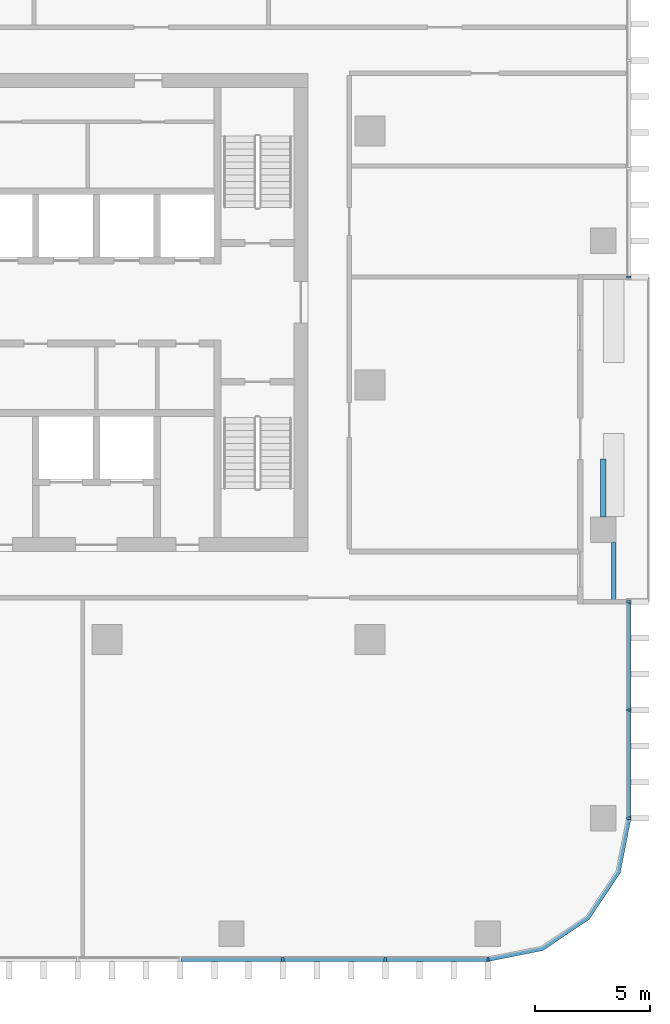
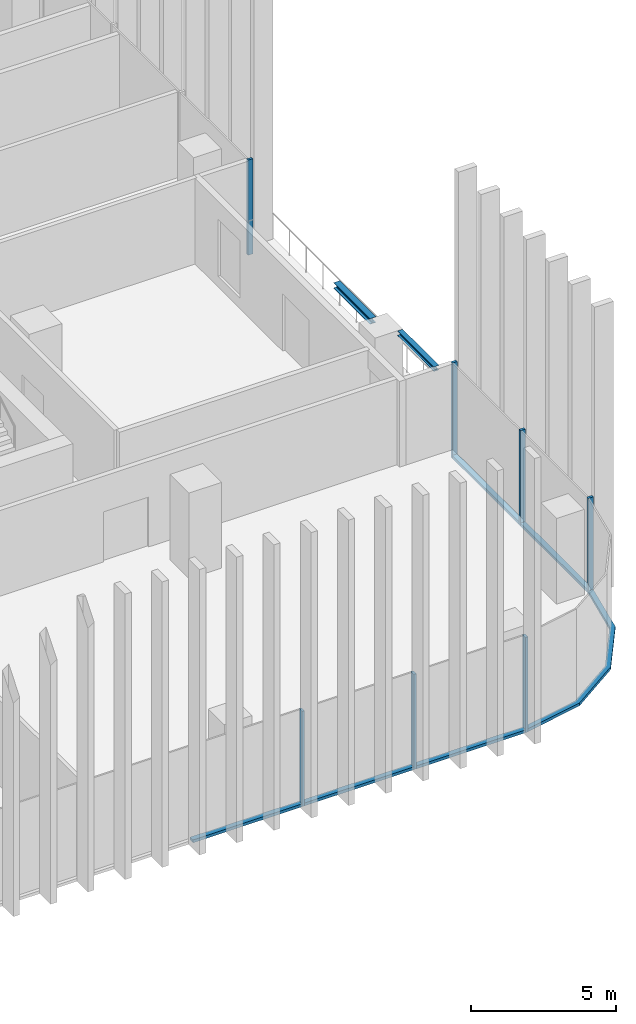
# One storey, part 3 of 15: 13 members, 2 beams, 4 elements without a shape of their own.
"""IFC4 building model written with IfcOpenShell, lengths in metres."""

from ifc_helpers import new_model, si_unit, direction, frame, origin, origin_2d, place, context, subcontext, project, spatial, polyline, rectangle, i_section, outline, extrude, material, material_profile, profile_set, type_object, element, aggregate, save


model = new_model("IFC4")

# Units and contexts
model_context = context("Model", 3, precision=1e-05, world=origin(), true_north=direction((0.0, 1.0)))
body_context = subcontext(model_context, "Body", "Model", "MODEL_VIEW")
ifc_project = project(units=[si_unit("LENGTHUNIT", "METRE"), si_unit("AREAUNIT", "SQUARE_METRE"), si_unit("VOLUMEUNIT", "CUBIC_METRE"), si_unit("PLANEANGLEUNIT", "RADIAN"), si_unit("MASSUNIT", "GRAM", prefix="KILO")], contexts=[model_context])

# Site, building, storey
site_placement = place(None, origin())
site = spatial("IfcSite", under=ifc_project, at=site_placement, CompositionType="ELEMENT")
building_placement = place(site_placement, origin())
building = spatial("IfcBuilding", under=site, at=building_placement, Name="Mopane Tessera Tower", CompositionType="ELEMENT")
storey_placement = place(building_placement, frame((0.0, 0.0, 211.0)))
storey = spatial("IfcBuildingStorey", under=building, at=storey_placement, Name="L44", CompositionType="ELEMENT", Elevation=211.0)

# Curtain wall, members
ifc_material_1 = material(Name="Aluminium frame", Category="aluminium")
curtain_wall_type = type_object("IfcCurtainWallType", Name="Unitised curtain wall", PredefinedType="NOTDEFINED", material=ifc_material_1)
curtain_wall_1_placement = place(storey_placement, origin())
curtain_wall_1 = element("IfcCurtainWall", 1, at=curtain_wall_1_placement, inside=storey, type_object=curtain_wall_type, Name="e:cw:L44:S:4", PredefinedType="NOTDEFINED")
ifc_material_2 = material(Name="Aluminium frame", Category="aluminium")
ifc_material_profile_1 = material_profile(ifc_material_2, rectangle(XDim=0.10009765625, YDim=0.199951171875, at=origin_2d()))
ifc_profile_set_1 = profile_set([ifc_material_profile_1], Name="Aluminium frame")
member_type_1 = type_object("IfcMemberType", Name="Aluminium mullion 100 x 200", PredefinedType="MULLION", material=ifc_profile_set_1)
member_1_placement = place(storey_placement, frame((13.320068359375, -24.85009765625, -0.39990234375), z_axis=(0.0, 0.0, 1.0), x_axis=(1.0, 0.0, 0.0)))
member_1 = element("IfcMember", 2, at=member_1_placement, type_object=member_type_1, Name="e:cw:L44:S:4:mu8", PredefinedType="MULLION", context=body_context, shape_type="SweptSolid", body=[
    extrude(rectangle(XDim=0.10009765625, YDim=0.199951171875, at=origin_2d()), origin(), (0.0, 0.0, 1.0), 4.0),
])
member_2_placement = place(storey_placement, frame((17.760009765625, -24.85009765625, -0.39990234375), z_axis=(0.0, 0.0, 1.0), x_axis=(1.0, 0.0, 0.0)))
member_2 = element("IfcMember", 3, at=member_2_placement, type_object=member_type_1, Name="e:cw:L44:S:4:mu9", PredefinedType="MULLION", context=body_context, shape_type="SweptSolid", body=[
    extrude(rectangle(XDim=0.10009765625, YDim=0.199951171875, at=origin_2d()), origin(), (0.0, 0.0, 1.0), 4.0),
])
member_3_placement = place(storey_placement, frame((22.199951171875, -24.85009765625, -0.39990234375), z_axis=(0.0, 0.0, 1.0), x_axis=(1.0, 0.0, 0.0)))
member_3 = element("IfcMember", 4, at=member_3_placement, type_object=member_type_1, Name="e:cw:L44:S:4:mu10", PredefinedType="MULLION", context=body_context, shape_type="SweptSolid", body=[
    extrude(rectangle(XDim=0.10009765625, YDim=0.199951171875, at=origin_2d()), origin(), (0.0, 0.0, 1.0), 4.0),
])

curtain_wall_2_placement = place(storey_placement, origin())
curtain_wall_2 = element("IfcCurtainWall", 5, at=curtain_wall_2_placement, inside=storey, type_object=curtain_wall_type, Name="e:cw:L44:E:0", PredefinedType="NOTDEFINED")
member_4_placement = place(storey_placement, frame((28.300048828125, -18.75, -0.39990234375), z_axis=(0.0, 0.0, 1.0), x_axis=(0.0, 1.0, 0.0)))
member_4 = element("IfcMember", 6, at=member_4_placement, type_object=member_type_1, Name="e:cw:L44:E:0:mu0", PredefinedType="MULLION", context=body_context, shape_type="SweptSolid", body=[
    extrude(rectangle(XDim=0.10009765625, YDim=0.199951171875, at=origin_2d()), origin(), (0.0, 0.0, 1.0), 4.0),
])
member_5_placement = place(storey_placement, frame((28.300048828125, -14.0625, -0.39990234375), z_axis=(0.0, 0.0, 1.0), x_axis=(0.0, 1.0, 0.0)))
member_5 = element("IfcMember", 7, at=member_5_placement, type_object=member_type_1, Name="e:cw:L44:E:0:mu1", PredefinedType="MULLION", context=body_context, shape_type="SweptSolid", body=[
    extrude(rectangle(XDim=0.10009765625, YDim=0.199951171875, at=origin_2d()), origin(), (0.0, 0.0, 1.0), 4.0),
])
member_6_placement = place(storey_placement, frame((28.300048828125, -9.375, -0.39990234375), z_axis=(0.0, 0.0, 1.0), x_axis=(0.0, 1.0, 0.0)))
member_6 = element("IfcMember", 8, at=member_6_placement, type_object=member_type_1, Name="e:cw:L44:E:0:mu2", PredefinedType="MULLION", context=body_context, shape_type="SweptSolid", body=[
    extrude(rectangle(XDim=0.10009765625, YDim=0.199951171875, at=origin_2d()), origin(), (0.0, 0.0, 1.0), 4.0),
])

# Curtain wall, member
curtain_wall_3_placement = place(storey_placement, origin())
curtain_wall_3 = element("IfcCurtainWall", 9, at=curtain_wall_3_placement, inside=storey, type_object=curtain_wall_type, Name="e:cw:L44:E:5", PredefinedType="NOTDEFINED")
member_7_placement = place(storey_placement, frame((28.300048828125, 4.6875, -0.39990234375), z_axis=(0.0, 0.0, 1.0), x_axis=(0.0, 1.0, 0.0)))
member_7 = element("IfcMember", 10, at=member_7_placement, type_object=member_type_1, Name="e:cw:L44:E:5:mu5", PredefinedType="MULLION", context=body_context, shape_type="SweptSolid", body=[
    extrude(rectangle(XDim=0.10009765625, YDim=0.199951171875, at=origin_2d()), origin(), (0.0, 0.0, 1.0), 4.0),
])
aggregate(curtain_wall_3, [member_7])

# Member
ifc_material_3 = material(Name="Aluminium frame", Category="aluminium")
ifc_material_profile_2 = material_profile(ifc_material_3, rectangle(XDim=0.199951171875, YDim=0.1201171875, at=origin_2d()))
ifc_profile_set_2 = profile_set([ifc_material_profile_2], Name="Aluminium frame")
member_type_2 = type_object("IfcMemberType", Name="Aluminium transom 200 x 120", PredefinedType="USERDEFINED", material=ifc_profile_set_2)
member_8_placement = place(storey_placement, frame((8.929931640625, -24.85009765625, -0.340087890625), z_axis=(1.0, 0.0, 0.0), x_axis=(0.0, 1.0, 0.0)))
member_8 = element("IfcMember", 11, at=member_8_placement, type_object=member_type_2, Name="e:cw:L44:S:4:tr7", ObjectType="TRANSOM", PredefinedType="USERDEFINED", context=body_context, shape_type="SweptSolid", body=[
    extrude(rectangle(XDim=0.199951171875, YDim=0.1201171875, at=origin_2d()), origin(), (0.0, 0.0, 1.0), 4.340087890625),
])

member_9_placement = place(storey_placement, frame((13.3701171875, -24.85009765625, -0.340087890625), z_axis=(1.0, 0.0, 0.0), x_axis=(0.0, 1.0, 0.0)))
member_9 = element("IfcMember", 12, at=member_9_placement, type_object=member_type_2, Name="e:cw:L44:S:4:tr8", ObjectType="TRANSOM", PredefinedType="USERDEFINED", context=body_context, shape_type="SweptSolid", body=[
    extrude(rectangle(XDim=0.199951171875, YDim=0.1201171875, at=origin_2d()), origin(), (0.0, 0.0, 1.0), 4.33984375),
])

member_10_placement = place(storey_placement, frame((17.81005859375, -24.85009765625, -0.340087890625), z_axis=(1.0, 0.0, 0.0), x_axis=(0.0, 1.0, 0.0)))
member_10 = element("IfcMember", 13, at=member_10_placement, type_object=member_type_2, Name="e:cw:L44:S:4:tr9", ObjectType="TRANSOM", PredefinedType="USERDEFINED", context=body_context, shape_type="SweptSolid", body=[
    extrude(rectangle(XDim=0.199951171875, YDim=0.1201171875, at=origin_2d()), origin(), (0.0, 0.0, 1.0), 4.33984375),
])

aggregate(curtain_wall_1, [member_1, member_2, member_3, member_8, member_9, member_10])

# Curtain wall, member
curtain_wall_4_placement = place(storey_placement, origin())
curtain_wall_4 = element("IfcCurtainWall", 14, at=curtain_wall_4_placement, inside=storey, type_object=curtain_wall_type, Name="e:cw:L44:CS", PredefinedType="NOTDEFINED")
member_11_placement = place(storey_placement, frame((0.0, 0.0, -0.39990234375)))
member_11 = element("IfcMember", 15, at=member_11_placement, type_object=member_type_2, Name="e:cw:L44:CS:tr", ObjectType="TRANSOM", PredefinedType="USERDEFINED", context=body_context, shape_type="SweptSolid", body=[
    extrude(outline(polyline([(22.199951171875, -24.75), (24.49609375, -24.293212890625), (26.442626953125, -22.99267578125), (27.7431640625, -21.046142578125), (28.199951171875, -18.75), (28.39990234375, -18.75), (27.927978515625, -21.12255859375), (26.583984375, -23.134033203125), (24.57275390625, -24.47802734375), (22.199951171875, -24.949951171875), (22.199951171875, -24.75)])), origin(), (0.0, 0.0, 1.0), 0.119873046875),
])
aggregate(curtain_wall_4, [member_11])

# Member
member_12_placement = place(storey_placement, frame((28.300048828125, -18.699951171875, -0.340087890625), z_axis=(0.0, 1.0, 0.0), x_axis=(-1.0, 0.0, 0.0)))
member_12 = element("IfcMember", 16, at=member_12_placement, type_object=member_type_2, Name="e:cw:L44:E:0:tr0", ObjectType="TRANSOM", PredefinedType="USERDEFINED", context=body_context, shape_type="SweptSolid", body=[
    extrude(rectangle(XDim=0.199951171875, YDim=0.1201171875, at=origin_2d()), origin(), (0.0, 0.0, 1.0), 4.58740234375),
])

member_13_placement = place(storey_placement, frame((28.300048828125, -14.012451171875, -0.340087890625), z_axis=(0.0, 1.0, 0.0), x_axis=(-1.0, 0.0, 0.0)))
member_13 = element("IfcMember", 17, at=member_13_placement, type_object=member_type_2, Name="e:cw:L44:E:0:tr1", ObjectType="TRANSOM", PredefinedType="USERDEFINED", context=body_context, shape_type="SweptSolid", body=[
    extrude(rectangle(XDim=0.199951171875, YDim=0.1201171875, at=origin_2d()), origin(), (0.0, 0.0, 1.0), 4.58740234375),
])

aggregate(curtain_wall_2, [member_4, member_5, member_6, member_12, member_13])

# Beams
ifc_material_4 = material(Name="Structural steel S460", Category="steel")
ifc_material_profile_3 = material_profile(ifc_material_4, i_section(OverallWidth=0.239990234375, OverallDepth=0.239990234375, WebThickness=0.010009765625, FlangeThickness=0.01708984375, FilletRadius=0.02099609375, at=origin_2d()))
ifc_profile_set_3 = profile_set([ifc_material_profile_3], Name="Structural steel S460")
beam_type_1 = type_object("IfcBeamType", Name="Terrace spandrel beam HE 240 B", PredefinedType="SPANDREL", material=ifc_profile_set_3)
beam_1_placement = place(storey_placement, frame((27.199951171875, -5.697021484375, 3.47998046875), z_axis=(0.0, 1.0, 0.0), x_axis=(-1.0, 0.0, 0.0)))
element("IfcBeam", 18, at=beam_1_placement, inside=storey, type_object=beam_type_1, Name="Terrace spandrel beam N2 L45", PredefinedType="SPANDREL", context=body_context, shape_type="SweptSolid", body=[
    extrude(i_section(OverallWidth=0.239990234375, OverallDepth=0.239990234375, WebThickness=0.010009765625, FlangeThickness=0.01708984375, FilletRadius=0.02099609375, at=origin_2d()), origin(), (0.0, 0.0, 1.0), 2.5),
])
ifc_material_5 = material(Name="Structural steel S460", Category="steel")
ifc_material_profile_4 = material_profile(ifc_material_5, i_section(OverallWidth=0.199951171875, OverallDepth=0.199951171875, WebThickness=0.009033203125, FlangeThickness=0.014892578125, FilletRadius=0.01806640625, at=origin_2d()))
ifc_profile_set_4 = profile_set([ifc_material_profile_4], Name="Structural steel S460")
beam_type_2 = type_object("IfcBeamType", Name="Terrace trimmer beam HE 200 B", PredefinedType="BEAM", material=ifc_profile_set_4)
beam_2_placement = place(storey_placement, frame((27.639892578125, -6.802978515625, 3.5), z_axis=(0.0, -1.0, 0.0), x_axis=(1.0, 0.0, 0.0)))
element("IfcBeam", 19, at=beam_2_placement, inside=storey, type_object=beam_type_2, Name="Terrace trimmer beam N2 L45", PredefinedType="BEAM", context=body_context, shape_type="SweptSolid", body=[
    extrude(i_section(OverallWidth=0.199951171875, OverallDepth=0.199951171875, WebThickness=0.009033203125, FlangeThickness=0.014892578125, FilletRadius=0.01806640625, at=origin_2d()), origin(), (0.0, 0.0, 1.0), 2.5),
])

save(model, "model.ifc")
